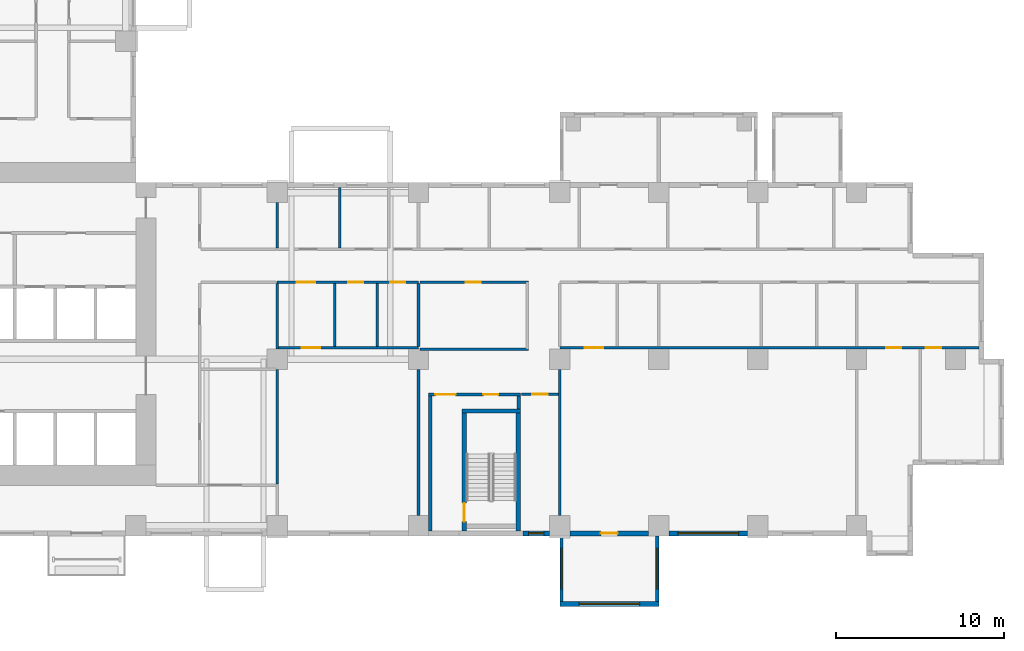
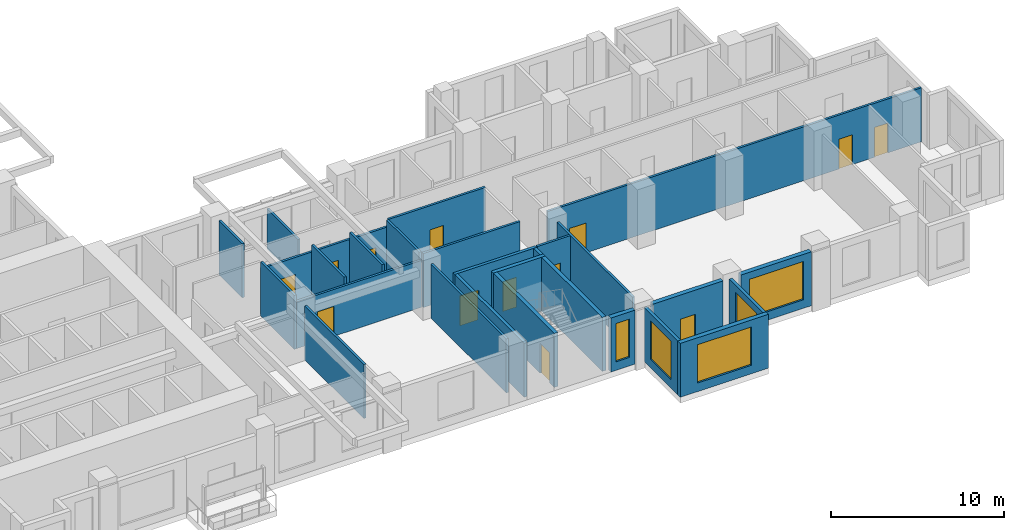
# One storey, part 4 of 15: 27 walls, 13 doors, 5 windows, 18 openings.
"""IFC4 building model written with IfcOpenShell, lengths in metres."""

from ifc_helpers import new_model, si_unit, direction, frame, frame_2d, origin, place, context, subcontext, project, spatial, rectangle, extrude, source, transform, mapped, material, layer, layer_set, type_object, element, fill, save


model = new_model("IFC4")

# Units and contexts
model_context = context("Model", 3, precision=1e-05, world=origin(), true_north=direction((0.0, 1.0)))
body_context = subcontext(model_context, "Body", "Model", "MODEL_VIEW")
ifc_project = project(units=[si_unit("LENGTHUNIT", "METRE"), si_unit("AREAUNIT", "SQUARE_METRE"), si_unit("VOLUMEUNIT", "CUBIC_METRE"), si_unit("PLANEANGLEUNIT", "RADIAN"), si_unit("MASSUNIT", "GRAM", prefix="KILO")], contexts=[model_context])

# Site, building, storey
site_placement = place(None, origin())
site = spatial("IfcSite", under=ifc_project, at=site_placement, CompositionType="ELEMENT")
building_placement = place(site_placement, origin())
building = spatial("IfcBuilding", under=site, at=building_placement, Name="Aurelian Terraces", CompositionType="ELEMENT")
storey_placement = place(building_placement, frame((0.0, 0.0, 74.1)))
storey = spatial("IfcBuildingStorey", under=building, at=storey_placement, Name="L15", CompositionType="ELEMENT", Elevation=74.1)

# Wall, opening, door
ifc_material_1 = material(Name="Terracotta rainscreen cladding", Category="masonry")
ifc_layer_1 = layer(ifc_material_1, 0.3)
ifc_layer_set_1 = layer_set([ifc_layer_1], Name="EW-300")
wall_type_1 = type_object("IfcWallType", Name="EW-300", PredefinedType="STANDARD", material=ifc_layer_set_1)
shared_shape_1 = source(origin(), body_context, "Body", "SweptSolid", [
    extrude(rectangle(XDim=4.68, YDim=0.3, at=frame_2d((2.34, 0.0))), origin(), (0.0, 0.0, 1.0), 3.8),
])
wall_1_placement = place(storey_placement, frame((46.8, 0.15, 0.0), z_axis=(0.0, 0.0, 1.0), x_axis=(1.0, 0.0, 0.0)))
wall_1 = element("IfcWall", 1, at=wall_1_placement, inside=storey, type_object=wall_type_1, Name="External wall L15 F01.8", PredefinedType="STANDARD", context=body_context, shape_type="MappedRepresentation", body=[
    mapped(shared_shape_1, transform((0.0, 0.0, 0.0), scale=1.0)),
])
shared_shape_2 = source(origin(), body_context, "Body", "SweptSolid", [
    extrude(rectangle(XDim=1.0, YDim=2.1, at=frame_2d((0.5, 1.05))), frame((0.0, 0.16, 0.0), z_axis=(0.0, -1.0, 0.0), x_axis=(1.0, 0.0, 0.0)), (0.0, 0.0, 1.0), 0.32),
])
opening_1_placement = place(wall_1_placement, frame((1.84, 0.0, 0.0)))
opening_1 = element("IfcOpeningElement", 2, at=opening_1_placement, cuts=wall_1, Name="Opening 815002", PredefinedType="OPENING", context=body_context, shape_type="MappedRepresentation", body=[
    mapped(shared_shape_2, transform((0.0, 0.0, 0.0), scale=1.0)),
])
ifc_material_2 = material(Name="Timber door leaf", Category="wood")
door_type_1 = type_object("IfcDoorType", Name="Room door 1000x2100 left", OperationType="SINGLE_SWING_LEFT", PredefinedType="DOOR", material=ifc_material_2)
shared_shape_3 = source(origin(), body_context, "Body", "SweptSolid", [
    extrude(rectangle(XDim=1.0, YDim=2.1, at=frame_2d((0.5, 1.05))), frame((0.0, 0.025, 0.0), z_axis=(0.0, -1.0, 0.0), x_axis=(1.0, 0.0, 0.0)), (0.0, 0.0, 1.0), 0.05),
])
door_1_placement = place(opening_1_placement, origin())
door_1 = element("IfcDoor", 3, at=door_1_placement, inside=storey, type_object=door_type_1, Name="Door 815002", OperationType="SINGLE_SWING_LEFT", OverallHeight=2.1, OverallWidth=1.0, PredefinedType="DOOR", context=body_context, shape_type="MappedRepresentation", body=[
    mapped(shared_shape_3, transform((0.0, 0.0, 0.0), scale=1.0)),
])
fill(opening_1, door_1)

# Wall, opening, window
wall_2_placement = place(storey_placement, frame((52.68, 0.15, 0.0), z_axis=(0.0, 0.0, 1.0), x_axis=(1.0, 0.0, 0.0)))
wall_2 = element("IfcWall", 4, at=wall_2_placement, inside=storey, type_object=wall_type_1, Name="External wall L15 F01.9", PredefinedType="STANDARD", context=body_context, shape_type="MappedRepresentation", body=[
    mapped(shared_shape_1, transform((0.0, 0.0, 0.0), scale=1.0)),
])
shared_shape_4 = source(origin(), body_context, "Body", "SweptSolid", [
    extrude(rectangle(XDim=3.6, YDim=2.7, at=frame_2d((1.8, 1.35))), frame((0.0, 0.16, 0.0), z_axis=(0.0, -1.0, 0.0), x_axis=(1.0, 0.0, 0.0)), (0.0, 0.0, 1.0), 0.32),
])
opening_2_placement = place(wall_2_placement, frame((0.54, 0.0, 0.6)))
opening_2 = element("IfcOpeningElement", 5, at=opening_2_placement, cuts=wall_2, Name="Opening W3627", PredefinedType="OPENING", context=body_context, shape_type="MappedRepresentation", body=[
    mapped(shared_shape_4, transform((0.0, 0.0, 0.0), scale=1.0)),
])
ifc_material_3 = material(Name="Clear glazing", Category="glass")
window_type_1 = type_object("IfcWindowType", Name="W-3600x2700", PartitioningType="SINGLE_PANEL", PredefinedType="WINDOW", material=ifc_material_3)
shared_shape_5 = source(origin(), body_context, "Body", "SweptSolid", [
    extrude(rectangle(XDim=3.6, YDim=2.7, at=frame_2d((1.8, 1.35))), frame((0.0, 0.03, 0.0), z_axis=(0.0, -1.0, 0.0), x_axis=(1.0, 0.0, 0.0)), (0.0, 0.0, 1.0), 0.06),
])
window_1_placement = place(opening_2_placement, origin())
window_1 = element("IfcWindow", 6, at=window_1_placement, inside=storey, type_object=window_type_1, Name="Window L15 L15-F01-09-0", OverallHeight=2.7, OverallWidth=3.6, PartitioningType="SINGLE_PANEL", PredefinedType="WINDOW", context=body_context, shape_type="MappedRepresentation", body=[
    mapped(shared_shape_5, transform((0.0, 0.0, 0.0), scale=1.0)),
])
fill(opening_2, window_1)

shared_shape_6 = source(origin(), body_context, "Body", "SweptSolid", [
    extrude(rectangle(XDim=1.6, YDim=0.3, at=frame_2d((0.8, 0.0))), origin(), (0.0, 0.0, 1.0), 3.8),
])
wall_3_placement = place(storey_placement, frame((44.0, 0.15, 0.0), z_axis=(0.0, 0.0, 1.0), x_axis=(1.0, 0.0, 0.0)))
wall_3 = element("IfcWall", 7, at=wall_3_placement, inside=storey, type_object=wall_type_1, Name="External wall L15 F01.7", PredefinedType="STANDARD", context=body_context, shape_type="MappedRepresentation", body=[
    mapped(shared_shape_6, transform((0.0, 0.0, 0.0), scale=1.0)),
])
shared_shape_7 = source(origin(), body_context, "Body", "SweptSolid", [
    extrude(rectangle(XDim=0.9, YDim=2.7, at=frame_2d((0.45, 1.35))), frame((0.0, 0.16, 0.0), z_axis=(0.0, -1.0, 0.0), x_axis=(1.0, 0.0, 0.0)), (0.0, 0.0, 1.0), 0.32),
])
opening_3_placement = place(wall_3_placement, frame((0.35, 0.0, 0.6)))
opening_3 = element("IfcOpeningElement", 8, at=opening_3_placement, cuts=wall_3, Name="Opening W0927", PredefinedType="OPENING", context=body_context, shape_type="MappedRepresentation", body=[
    mapped(shared_shape_7, transform((0.0, 0.0, 0.0), scale=1.0)),
])
window_type_2 = type_object("IfcWindowType", Name="W-900x2700", PartitioningType="SINGLE_PANEL", PredefinedType="WINDOW", material=ifc_material_3)
shared_shape_8 = source(origin(), body_context, "Body", "SweptSolid", [
    extrude(rectangle(XDim=0.9, YDim=2.7, at=frame_2d((0.45, 1.35))), frame((0.0, 0.03, 0.0), z_axis=(0.0, -1.0, 0.0), x_axis=(1.0, 0.0, 0.0)), (0.0, 0.0, 1.0), 0.06),
])
window_2_placement = place(opening_3_placement, origin())
window_2 = element("IfcWindow", 9, at=window_2_placement, inside=storey, type_object=window_type_2, Name="Window L15 L15-F01-07-P2", OverallHeight=2.7, OverallWidth=0.9, PartitioningType="SINGLE_PANEL", PredefinedType="WINDOW", context=body_context, shape_type="MappedRepresentation", body=[
    mapped(shared_shape_8, transform((0.0, 0.0, 0.0), scale=1.0)),
])
fill(opening_3, window_2)

ifc_material_4 = material(Name="Concrete fc' 40 MPa", Category="concrete")
ifc_layer_2 = layer(ifc_material_4, 0.2)
ifc_layer_set_2 = layer_set([ifc_layer_2], Name="BOX BEARING WALL 200")
wall_type_2 = type_object("IfcWallType", Name="BOX BEARING WALL 200", PredefinedType="SOLIDWALL", material=ifc_layer_set_2)
shared_shape_9 = source(origin(), body_context, "Body", "SweptSolid", [
    extrude(rectangle(XDim=3.9, YDim=0.2, at=frame_2d((1.95, 0.0))), origin(), (0.0, 0.0, 1.0), 3.79),
])
wall_4_placement = place(storey_placement, frame((46.3, 0.0, 0.0), z_axis=(0.0, 0.0, 1.0), x_axis=(0.0, -1.0, 0.0)))
wall_4 = element("IfcWall", 10, at=wall_4_placement, inside=storey, type_object=wall_type_2, Name="Box return L15 J16.1", PredefinedType="SOLIDWALL", context=body_context, shape_type="MappedRepresentation", body=[
    mapped(shared_shape_9, transform((0.0, 0.0, 0.0), scale=1.0)),
])
shared_shape_10 = source(origin(), body_context, "Body", "SweptSolid", [
    extrude(rectangle(XDim=2.4, YDim=2.7, at=frame_2d((1.2, 1.35))), frame((0.0, 0.11, 0.0), z_axis=(0.0, -1.0, 0.0), x_axis=(1.0, 0.0, 0.0)), (0.0, 0.0, 1.0), 0.22),
])
opening_4_placement = place(wall_4_placement, frame((0.75, 0.0, 0.6)))
opening_4 = element("IfcOpeningElement", 11, at=opening_4_placement, cuts=wall_4, Name="Opening W2427", PredefinedType="OPENING", context=body_context, shape_type="MappedRepresentation", body=[
    mapped(shared_shape_10, transform((0.0, 0.0, 0.0), scale=1.0)),
])
window_type_3 = type_object("IfcWindowType", Name="W-2400x2700", PartitioningType="SINGLE_PANEL", PredefinedType="WINDOW", material=ifc_material_3)
shared_shape_11 = source(origin(), body_context, "Body", "SweptSolid", [
    extrude(rectangle(XDim=2.4, YDim=2.7, at=frame_2d((1.2, 1.35))), frame((0.0, 0.03, 0.0), z_axis=(0.0, -1.0, 0.0), x_axis=(1.0, 0.0, 0.0)), (0.0, 0.0, 1.0), 0.06),
])
window_3_placement = place(opening_4_placement, origin())
window_3 = element("IfcWindow", 12, at=window_3_placement, inside=storey, type_object=window_type_3, Name="Window L15 J16-S1", OverallHeight=2.7, OverallWidth=2.4, PartitioningType="SINGLE_PANEL", PredefinedType="WINDOW", context=body_context, shape_type="MappedRepresentation", body=[
    mapped(shared_shape_11, transform((0.0, 0.0, 0.0), scale=1.0)),
])
fill(opening_4, window_3)

wall_5_placement = place(storey_placement, frame((51.98, 0.0, 0.0), z_axis=(0.0, 0.0, 1.0), x_axis=(0.0, -1.0, 0.0)))
wall_5 = element("IfcWall", 13, at=wall_5_placement, inside=storey, type_object=wall_type_2, Name="Box return L15 J16.2", PredefinedType="SOLIDWALL", context=body_context, shape_type="MappedRepresentation", body=[
    mapped(shared_shape_9, transform((0.0, 0.0, 0.0), scale=1.0)),
])
opening_5_placement = place(wall_5_placement, frame((0.75, 0.0, 0.6)))
opening_5 = element("IfcOpeningElement", 14, at=opening_5_placement, cuts=wall_5, Name="Opening W2427", PredefinedType="OPENING", context=body_context, shape_type="MappedRepresentation", body=[
    mapped(shared_shape_10, transform((0.0, 0.0, 0.0), scale=1.0)),
])
window_4_placement = place(opening_5_placement, origin())
window_4 = element("IfcWindow", 15, at=window_4_placement, inside=storey, type_object=window_type_3, Name="Window L15 J16-S2", OverallHeight=2.7, OverallWidth=2.4, PartitioningType="SINGLE_PANEL", PredefinedType="WINDOW", context=body_context, shape_type="MappedRepresentation", body=[
    mapped(shared_shape_11, transform((0.0, 0.0, 0.0), scale=1.0)),
])
fill(opening_5, window_4)

ifc_layer_3 = layer(ifc_material_4, 0.3)
ifc_layer_set_3 = layer_set([ifc_layer_3], Name="BOX BEARING WALL 300")
wall_type_3 = type_object("IfcWallType", Name="BOX BEARING WALL 300", PredefinedType="SOLIDWALL", material=ifc_layer_set_3)
shared_shape_12 = source(origin(), body_context, "Body", "SweptSolid", [
    extrude(rectangle(XDim=5.88, YDim=0.3, at=frame_2d((2.94, 0.0))), origin(), (0.0, 0.0, 1.0), 3.79),
])
wall_6_placement = place(storey_placement, frame((46.2, -4.05, 0.0), z_axis=(0.0, 0.0, 1.0), x_axis=(1.0, 0.0, 0.0)))
wall_6 = element("IfcWall", 16, at=wall_6_placement, inside=storey, type_object=wall_type_3, Name="Box wall L15 J16", PredefinedType="SOLIDWALL", context=body_context, shape_type="MappedRepresentation", body=[
    mapped(shared_shape_12, transform((0.0, 0.0, 0.0), scale=1.0)),
])
opening_6_placement = place(wall_6_placement, frame((1.14, 0.0, 0.6)))
opening_6 = element("IfcOpeningElement", 17, at=opening_6_placement, cuts=wall_6, Name="Opening W3627", PredefinedType="OPENING", context=body_context, shape_type="MappedRepresentation", body=[
    mapped(shared_shape_4, transform((0.0, 0.0, 0.0), scale=1.0)),
])
window_5_placement = place(opening_6_placement, origin())
window_5 = element("IfcWindow", 18, at=window_5_placement, inside=storey, type_object=window_type_1, Name="Window L15 J16-F1", OverallHeight=2.7, OverallWidth=3.6, PartitioningType="SINGLE_PANEL", PredefinedType="WINDOW", context=body_context, shape_type="MappedRepresentation", body=[
    mapped(shared_shape_5, transform((0.0, 0.0, 0.0), scale=1.0)),
])
fill(opening_6, window_5)

# Wall, opening, door
ifc_layer_4 = layer(ifc_material_4, 0.25)
ifc_layer_set_4 = layer_set([ifc_layer_4], Name="Stair enclosure wall 250")
wall_type_4 = type_object("IfcWallType", Name="Stair enclosure wall 250", PredefinedType="SOLIDWALL", material=ifc_layer_set_4)
shared_shape_13 = source(origin(), body_context, "Body", "SweptSolid", [
    extrude(rectangle(XDim=7.0, YDim=0.25, at=frame_2d((3.5, 0.0))), origin(), (0.0, 0.0, 1.0), 3.8),
])
wall_7_placement = place(storey_placement, frame((40.525, 0.3, 0.0), z_axis=(0.0, 0.0, 1.0), x_axis=(0.0, 1.0, 0.0)))
wall_7 = element("IfcWall", 19, at=wall_7_placement, inside=storey, type_object=wall_type_4, Name="L15 core wall ST-S2-W", PredefinedType="SOLIDWALL", context=body_context, shape_type="MappedRepresentation", body=[
    mapped(shared_shape_13, transform((0.0, 0.0, 0.0), scale=1.0)),
])
shared_shape_14 = source(origin(), body_context, "Body", "SweptSolid", [
    extrude(rectangle(XDim=1.1, YDim=2.1, at=frame_2d((0.55, 1.05))), frame((0.0, 0.135, 0.0), z_axis=(0.0, -1.0, 0.0), x_axis=(1.0, 0.0, 0.0)), (0.0, 0.0, 1.0), 0.27),
])
opening_7_placement = place(wall_7_placement, frame((0.55, 0.0, 0.0)))
opening_7 = element("IfcOpeningElement", 20, at=opening_7_placement, cuts=wall_7, Name="Opening 61814", PredefinedType="OPENING", context=body_context, shape_type="MappedRepresentation", body=[
    mapped(shared_shape_14, transform((0.0, 0.0, 0.0), scale=1.0)),
])
ifc_material_5 = material(Name="Steel door leaf", Category="steel")
door_type_2 = type_object("IfcDoorType", Name="Core fire door 1100x2100", OperationType="SINGLE_SWING_LEFT", PredefinedType="DOOR", material=ifc_material_5)
shared_shape_15 = source(origin(), body_context, "Body", "SweptSolid", [
    extrude(rectangle(XDim=1.1, YDim=2.1, at=frame_2d((0.55, 1.05))), frame((0.0, 0.025, 0.0), z_axis=(0.0, -1.0, 0.0), x_axis=(1.0, 0.0, 0.0)), (0.0, 0.0, 1.0), 0.05),
])
door_2_placement = place(opening_7_placement, origin())
door_2 = element("IfcDoor", 21, at=door_2_placement, inside=storey, type_object=door_type_2, Name="Stair door 61814", OperationType="SINGLE_SWING_LEFT", OverallHeight=2.1, OverallWidth=1.1, PredefinedType="DOOR", context=body_context, shape_type="MappedRepresentation", body=[
    mapped(shared_shape_15, transform((0.0, 0.0, 0.0), scale=1.0)),
])
fill(opening_7, door_2)

# Walls
wall_8_placement = place(storey_placement, frame((43.725, 0.3, 0.0), z_axis=(0.0, 0.0, 1.0), x_axis=(0.0, 1.0, 0.0)))
element("IfcWall", 22, at=wall_8_placement, inside=storey, type_object=wall_type_4, Name="L15 core wall ST-S2-E", PredefinedType="SOLIDWALL", context=body_context, shape_type="MappedRepresentation", body=[
    mapped(shared_shape_13, transform((0.0, 0.0, 0.0), scale=1.0)),
])
shared_shape_16 = source(origin(), body_context, "Body", "SweptSolid", [
    extrude(rectangle(XDim=3.45, YDim=0.25, at=frame_2d((1.725, 0.0))), origin(), (0.0, 0.0, 1.0), 3.8),
])
wall_9_placement = place(storey_placement, frame((40.4, 7.425, 0.0), z_axis=(0.0, 0.0, 1.0), x_axis=(1.0, 0.0, 0.0)))
element("IfcWall", 23, at=wall_9_placement, inside=storey, type_object=wall_type_4, Name="L15 core wall ST-S2-N", PredefinedType="SOLIDWALL", context=body_context, shape_type="MappedRepresentation", body=[
    mapped(shared_shape_16, transform((0.0, 0.0, 0.0), scale=1.0)),
])
ifc_material_6 = material(Name="Gypsum board on steel studs", Category="steel")
ifc_layer_5 = layer(ifc_material_6, 0.2)
ifc_layer_set_5 = layer_set([ifc_layer_5], Name="Core partition 200")
wall_type_5 = type_object("IfcWallType", Name="Core partition 200", PredefinedType="PARTITIONING", material=ifc_layer_set_5)
shared_shape_17 = source(origin(), body_context, "Body", "SweptSolid", [
    extrude(rectangle(XDim=8.0, YDim=0.2, at=frame_2d((4.0, 0.0))), origin(), (0.0, 0.0, 1.0), 3.8),
])
wall_10_placement = place(storey_placement, frame((38.5, 0.3, 0.0), z_axis=(0.0, 0.0, 1.0), x_axis=(0.0, 1.0, 0.0)))
element("IfcWall", 24, at=wall_10_placement, inside=storey, type_object=wall_type_5, Name="L15 core wall ST-S2-VW", PredefinedType="PARTITIONING", context=body_context, shape_type="MappedRepresentation", body=[
    mapped(shared_shape_17, transform((0.0, 0.0, 0.0), scale=1.0)),
])

# Wall, openings, doors
shared_shape_18 = source(origin(), body_context, "Body", "SweptSolid", [
    extrude(rectangle(XDim=5.45, YDim=0.2, at=frame_2d((2.725, 0.0))), origin(), (0.0, 0.0, 1.0), 3.8),
])
wall_11_placement = place(storey_placement, frame((38.4, 8.4, 0.0), z_axis=(0.0, 0.0, 1.0), x_axis=(1.0, 0.0, 0.0)))
wall_11 = element("IfcWall", 25, at=wall_11_placement, inside=storey, type_object=wall_type_5, Name="L15 core wall ST-S2-BN", PredefinedType="PARTITIONING", context=body_context, shape_type="MappedRepresentation", body=[
    mapped(shared_shape_18, transform((0.0, 0.0, 0.0), scale=1.0)),
])
shared_shape_19 = source(origin(), body_context, "Body", "SweptSolid", [
    extrude(rectangle(XDim=1.2, YDim=2.1, at=frame_2d((0.6, 1.05))), frame((0.0, 0.11, 0.0), z_axis=(0.0, -1.0, 0.0), x_axis=(1.0, 0.0, 0.0)), (0.0, 0.0, 1.0), 0.22),
])
opening_8_placement = place(wall_11_placement, frame((0.4, 0.0, 0.0)))
opening_8 = element("IfcOpeningElement", 26, at=opening_8_placement, cuts=wall_11, Name="Opening 61815", PredefinedType="OPENING", context=body_context, shape_type="MappedRepresentation", body=[
    mapped(shared_shape_19, transform((0.0, 0.0, 0.0), scale=1.0)),
])
shared_shape_20 = source(origin(), body_context, "Body", "SweptSolid", [
    extrude(rectangle(XDim=0.9, YDim=2.1, at=frame_2d((0.45, 1.05))), frame((0.0, 0.11, 0.0), z_axis=(0.0, -1.0, 0.0), x_axis=(1.0, 0.0, 0.0)), (0.0, 0.0, 1.0), 0.22),
])
opening_9_placement = place(wall_11_placement, frame((3.25, 0.0, 0.0)))
opening_9 = element("IfcOpeningElement", 27, at=opening_9_placement, cuts=wall_11, Name="Opening 61816", PredefinedType="OPENING", context=body_context, shape_type="MappedRepresentation", body=[
    mapped(shared_shape_20, transform((0.0, 0.0, 0.0), scale=1.0)),
])
door_type_3 = type_object("IfcDoorType", Name="Core riser door 900x2100", OperationType="SINGLE_SWING_LEFT", PredefinedType="DOOR", material=ifc_material_5)
shared_shape_21 = source(origin(), body_context, "Body", "SweptSolid", [
    extrude(rectangle(XDim=0.9, YDim=2.1, at=frame_2d((0.45, 1.05))), frame((0.0, 0.025, 0.0), z_axis=(0.0, -1.0, 0.0), x_axis=(1.0, 0.0, 0.0)), (0.0, 0.0, 1.0), 0.05),
])
door_3_placement = place(opening_9_placement, origin())
door_3 = element("IfcDoor", 28, at=door_3_placement, inside=storey, type_object=door_type_3, Name="Riser door 61816", OperationType="SINGLE_SWING_LEFT", OverallHeight=2.1, OverallWidth=0.9, PredefinedType="DOOR", context=body_context, shape_type="MappedRepresentation", body=[
    mapped(shared_shape_21, transform((0.0, 0.0, 0.0), scale=1.0)),
])
fill(opening_9, door_3)
door_type_4 = type_object("IfcDoorType", Name="Core fire door 1200x2100 right", OperationType="SINGLE_SWING_RIGHT", PredefinedType="DOOR", material=ifc_material_5)
shared_shape_22 = source(origin(), body_context, "Body", "SweptSolid", [
    extrude(rectangle(XDim=1.2, YDim=2.1, at=frame_2d((0.6, 1.05))), frame((0.0, 0.025, 0.0), z_axis=(0.0, -1.0, 0.0), x_axis=(1.0, 0.0, 0.0)), (0.0, 0.0, 1.0), 0.05),
])
door_4_placement = place(opening_8_placement, origin())
door_4 = element("IfcDoor", 29, at=door_4_placement, inside=storey, type_object=door_type_4, Name="Vestibule door 61815", OperationType="SINGLE_SWING_RIGHT", OverallHeight=2.1, OverallWidth=1.2, PredefinedType="DOOR", context=body_context, shape_type="MappedRepresentation", body=[
    mapped(shared_shape_22, transform((0.0, 0.0, 0.0), scale=1.0)),
])
fill(opening_8, door_4)

# Walls
shared_shape_23 = source(origin(), body_context, "Body", "SweptSolid", [
    extrude(rectangle(XDim=0.75, YDim=0.2, at=frame_2d((0.375, 0.0))), origin(), (0.0, 0.0, 1.0), 3.8),
])
wall_12_placement = place(storey_placement, frame((43.75, 7.55, 0.0), z_axis=(0.0, 0.0, 1.0), x_axis=(0.0, 1.0, 0.0)))
element("IfcWall", 30, at=wall_12_placement, inside=storey, type_object=wall_type_5, Name="L15 core wall ST-S2-RE", PredefinedType="PARTITIONING", context=body_context, shape_type="MappedRepresentation", body=[
    mapped(shared_shape_23, transform((0.0, 0.0, 0.0), scale=1.0)),
])
ifc_layer_6 = layer(ifc_material_6, 0.15)
ifc_layer_set_6 = layer_set([ifc_layer_6], Name="Partition 150")
wall_type_6 = type_object("IfcWallType", Name="Partition 150", PredefinedType="PARTITIONING", material=ifc_layer_set_6)
shared_shape_24 = source(origin(), body_context, "Body", "SweptSolid", [
    extrude(rectangle(XDim=6.45, YDim=0.15, at=frame_2d((3.225, 0.0))), origin(), (0.0, 0.0, 1.0), 3.8),
])
wall_13_placement = place(storey_placement, frame((37.875, 11.1, 0.0), z_axis=(0.0, 0.0, 1.0), x_axis=(1.0, 0.0, 0.0)))
element("IfcWall", 31, at=wall_13_placement, inside=storey, type_object=wall_type_6, Name="Partition", PredefinedType="PARTITIONING", context=body_context, shape_type="MappedRepresentation", body=[
    mapped(shared_shape_24, transform((0.0, 0.0, 0.0), scale=1.0)),
])

# Wall, opening, door
ifc_layer_7 = layer(ifc_material_6, 0.15)
ifc_layer_set_7 = layer_set([ifc_layer_7], Name="Fire partition 150")
wall_type_7 = type_object("IfcWallType", Name="Fire partition 150", PredefinedType="PARTITIONING", material=ifc_layer_set_7)
wall_14_placement = place(storey_placement, frame((44.325, 15.075, 0.0), z_axis=(0.0, 0.0, 1.0), x_axis=(-1.0, 0.0, 0.0)))
wall_14 = element("IfcWall", 32, at=wall_14_placement, inside=storey, type_object=wall_type_7, Name="Corridor wall", PredefinedType="PARTITIONING", context=body_context, shape_type="MappedRepresentation", body=[
    mapped(shared_shape_24, transform((0.0, 0.0, 0.0), scale=1.0)),
])
shared_shape_25 = source(origin(), body_context, "Body", "SweptSolid", [
    extrude(rectangle(XDim=0.9, YDim=2.1, at=frame_2d((0.45, 1.05))), frame((0.0, 0.085, 0.0), z_axis=(0.0, -1.0, 0.0), x_axis=(1.0, 0.0, 0.0)), (0.0, 0.0, 1.0), 0.17),
])
opening_10_placement = place(wall_14_placement, frame((2.8125, 0.0, 0.0)))
opening_10 = element("IfcOpeningElement", 33, at=opening_10_placement, cuts=wall_14, Name="Opening 715005", PredefinedType="OPENING", context=body_context, shape_type="MappedRepresentation", body=[
    mapped(shared_shape_25, transform((0.0, 0.0, 0.0), scale=1.0)),
])
door_type_5 = type_object("IfcDoorType", Name="Room door 900x2100 right", OperationType="SINGLE_SWING_RIGHT", PredefinedType="DOOR", material=ifc_material_2)
door_5_placement = place(opening_10_placement, origin())
door_5 = element("IfcDoor", 34, at=door_5_placement, inside=storey, type_object=door_type_5, Name="Door 715005", OperationType="SINGLE_SWING_RIGHT", OverallHeight=2.1, OverallWidth=0.9, PredefinedType="DOOR", context=body_context, shape_type="MappedRepresentation", body=[
    mapped(shared_shape_21, transform((0.0, 0.0, 0.0), scale=1.0)),
])
fill(opening_10, door_5)

# Walls
shared_shape_26 = source(origin(), body_context, "Body", "SweptSolid", [
    extrude(rectangle(XDim=3.75, YDim=0.15, at=frame_2d((1.875, 0.0))), origin(), (0.0, 0.0, 1.0), 3.8),
])
for number, where, z_axis, x_axis, name in (
    (35, (32.8088, 11.25, 0.0), (0.0, 0.0, 1.0), (0.0, 1.0, 0.0), "Partition"),
    (36, (35.3388, 11.25, 0.0), (0.0, 0.0, 1.0), (0.0, 1.0, 0.0), "Partition"),
    (37, (37.8, 11.25, 0.0), (0.0, 0.0, 1.0), (0.0, 1.0, 0.0), "Partition"),
):
    element("IfcWall", number, at=place(storey_placement, frame(where, z_axis=z_axis, x_axis=x_axis)), inside=storey, type_object=wall_type_6, Name=name, PredefinedType="PARTITIONING", context=body_context, shape_type="MappedRepresentation", body=[
        mapped(shared_shape_26, transform((0.0, 0.0, 0.0), scale=1.0)),
    ])
shared_shape_27 = source(origin(), body_context, "Body", "SweptSolid", [
    extrude(rectangle(XDim=8.702, YDim=0.15, at=frame_2d((4.351, 0.0))), origin(), (0.0, 0.0, 1.0), 3.8),
])
for number, where, z_axis, x_axis, name in (
    (38, (37.8, 1.199, 0.0), (0.0, 0.0, 1.0), (0.0, 1.0, 0.0), "Partition"),
    (39, (46.2, 1.199, 0.0), (0.0, 0.0, 1.0), (0.0, 1.0, 0.0), "Partition"),
):
    element("IfcWall", number, at=place(storey_placement, frame(where, z_axis=z_axis, x_axis=x_axis)), inside=storey, type_object=wall_type_6, Name=name, PredefinedType="PARTITIONING", context=body_context, shape_type="MappedRepresentation", body=[
        mapped(shared_shape_27, transform((0.0, 0.0, 0.0), scale=1.0)),
    ])
shared_shape_28 = source(origin(), body_context, "Body", "SweptSolid", [
    extrude(rectangle(XDim=2.701, YDim=0.15, at=frame_2d((1.3505, 0.0))), origin(), (0.0, 0.0, 1.0), 3.8),
])
wall_15_placement = place(storey_placement, frame((29.4, 17.1, 0.0), z_axis=(0.0, 0.0, 1.0), x_axis=(0.0, 1.0, 0.0)))
element("IfcWall", 40, at=wall_15_placement, inside=storey, type_object=wall_type_6, Name="Partition", PredefinedType="PARTITIONING", context=body_context, shape_type="MappedRepresentation", body=[
    mapped(shared_shape_28, transform((0.0, 0.0, 0.0), scale=1.0)),
])

# Wall, openings, doors
shared_shape_29 = source(origin(), body_context, "Body", "SweptSolid", [
    extrude(rectangle(XDim=24.9, YDim=0.15, at=frame_2d((12.45, 0.0))), origin(), (0.0, 0.0, 1.0), 3.8),
])
wall_16_placement = place(storey_placement, frame((71.1, 11.175, 0.0), z_axis=(0.0, 0.0, 1.0), x_axis=(-1.0, 0.0, 0.0)))
wall_16 = element("IfcWall", 41, at=wall_16_placement, inside=storey, type_object=wall_type_6, Name="Partition", PredefinedType="PARTITIONING", context=body_context, shape_type="MappedRepresentation", body=[
    mapped(shared_shape_29, transform((0.0, 0.0, 0.0), scale=1.0)),
])
shared_shape_30 = source(origin(), body_context, "Body", "SweptSolid", [
    extrude(rectangle(XDim=1.1, YDim=2.1, at=frame_2d((0.55, 1.05))), frame((0.0, 0.085, 0.0), z_axis=(0.0, -1.0, 0.0), x_axis=(1.0, 0.0, 0.0)), (0.0, 0.0, 1.0), 0.17),
])
opening_11_placement = place(wall_16_placement, frame((22.3317, 0.0, 0.0)))
opening_11 = element("IfcOpeningElement", 42, at=opening_11_placement, cuts=wall_16, Name="Opening 715012", PredefinedType="OPENING", context=body_context, shape_type="MappedRepresentation", body=[
    mapped(shared_shape_30, transform((0.0, 0.0, 0.0), scale=1.0)),
])
opening_12_placement = place(wall_16_placement, frame((4.6075, 0.0, 0.0)))
opening_12 = element("IfcOpeningElement", 43, at=opening_12_placement, cuts=wall_16, Name="Opening 715018", PredefinedType="OPENING", context=body_context, shape_type="MappedRepresentation", body=[
    mapped(shared_shape_25, transform((0.0, 0.0, 0.0), scale=1.0)),
])
opening_13_placement = place(wall_16_placement, frame((2.2425, 0.0, 0.0)))
opening_13 = element("IfcOpeningElement", 44, at=opening_13_placement, cuts=wall_16, Name="Opening 715019", PredefinedType="OPENING", context=body_context, shape_type="MappedRepresentation", body=[
    mapped(shared_shape_25, transform((0.0, 0.0, 0.0), scale=1.0)),
])
door_6_placement = place(opening_12_placement, origin())
door_6 = element("IfcDoor", 45, at=door_6_placement, inside=storey, type_object=door_type_5, Name="Door 715018", OperationType="SINGLE_SWING_RIGHT", OverallHeight=2.1, OverallWidth=0.9, PredefinedType="DOOR", context=body_context, shape_type="MappedRepresentation", body=[
    mapped(shared_shape_21, transform((0.0, 0.0, 0.0), scale=1.0)),
])
fill(opening_12, door_6)
door_type_6 = type_object("IfcDoorType", Name="Room door 900x2100 left", OperationType="SINGLE_SWING_LEFT", PredefinedType="DOOR", material=ifc_material_2)
door_7_placement = place(opening_13_placement, origin())
door_7 = element("IfcDoor", 46, at=door_7_placement, inside=storey, type_object=door_type_6, Name="Door 715019", OperationType="SINGLE_SWING_LEFT", OverallHeight=2.1, OverallWidth=0.9, PredefinedType="DOOR", context=body_context, shape_type="MappedRepresentation", body=[
    mapped(shared_shape_21, transform((0.0, 0.0, 0.0), scale=1.0)),
])
fill(opening_13, door_7)
door_type_7 = type_object("IfcDoorType", Name="Room door 1100x2100 right", OperationType="SINGLE_SWING_RIGHT", PredefinedType="DOOR", material=ifc_material_2)
door_8_placement = place(opening_11_placement, origin())
door_8 = element("IfcDoor", 47, at=door_8_placement, inside=storey, type_object=door_type_7, Name="Door 715012", OperationType="SINGLE_SWING_RIGHT", OverallHeight=2.1, OverallWidth=1.1, PredefinedType="DOOR", context=body_context, shape_type="MappedRepresentation", body=[
    mapped(shared_shape_15, transform((0.0, 0.0, 0.0), scale=1.0)),
])
fill(opening_11, door_8)

# Walls
shared_shape_31 = source(origin(), body_context, "Body", "SweptSolid", [
    extrude(rectangle(XDim=6.826, YDim=0.15, at=frame_2d((3.413, 0.0))), origin(), (0.0, 0.0, 1.0), 3.8),
])
wall_17_placement = place(storey_placement, frame((29.4, 3.075, 0.0), z_axis=(0.0, 0.0, 1.0), x_axis=(0.0, 1.0, 0.0)))
element("IfcWall", 48, at=wall_17_placement, inside=storey, type_object=wall_type_6, Name="Partition", PredefinedType="PARTITIONING", context=body_context, shape_type="MappedRepresentation", body=[
    mapped(shared_shape_31, transform((0.0, 0.0, 0.0), scale=1.0)),
])
shared_shape_32 = source(origin(), body_context, "Body", "SweptSolid", [
    extrude(rectangle(XDim=3.901, YDim=0.15, at=frame_2d((1.9505, 0.0))), origin(), (0.0, 0.0, 1.0), 3.8),
])
wall_18_placement = place(storey_placement, frame((29.4, 11.099, 0.0), z_axis=(0.0, 0.0, 1.0), x_axis=(0.0, 1.0, 0.0)))
element("IfcWall", 49, at=wall_18_placement, inside=storey, type_object=wall_type_6, Name="Partition", PredefinedType="PARTITIONING", context=body_context, shape_type="MappedRepresentation", body=[
    mapped(shared_shape_32, transform((0.0, 0.0, 0.0), scale=1.0)),
])

# Wall, opening, door
shared_shape_33 = source(origin(), body_context, "Body", "SweptSolid", [
    extrude(rectangle(XDim=2.2, YDim=0.15, at=frame_2d((1.1, 0.0))), origin(), (0.0, 0.0, 1.0), 3.8),
])
wall_19_placement = place(storey_placement, frame((46.125, 8.425, 0.0), z_axis=(0.0, 0.0, 1.0), x_axis=(-1.0, 0.0, 0.0)))
wall_19 = element("IfcWall", 50, at=wall_19_placement, inside=storey, type_object=wall_type_6, Name="Partition", PredefinedType="PARTITIONING", context=body_context, shape_type="MappedRepresentation", body=[
    mapped(shared_shape_33, transform((0.0, 0.0, 0.0), scale=1.0)),
])
opening_14_placement = place(wall_19_placement, frame((0.65, 0.0, 0.0)))
opening_14 = element("IfcOpeningElement", 51, at=opening_14_placement, cuts=wall_19, Name="Opening 715006", PredefinedType="OPENING", context=body_context, shape_type="MappedRepresentation", body=[
    mapped(shared_shape_25, transform((0.0, 0.0, 0.0), scale=1.0)),
])
door_9_placement = place(opening_14_placement, origin())
door_9 = element("IfcDoor", 52, at=door_9_placement, inside=storey, type_object=door_type_5, Name="Door 715006", OperationType="SINGLE_SWING_RIGHT", OverallHeight=2.1, OverallWidth=0.9, PredefinedType="DOOR", context=body_context, shape_type="MappedRepresentation", body=[
    mapped(shared_shape_21, transform((0.0, 0.0, 0.0), scale=1.0)),
])
fill(opening_14, door_9)

# Wall
shared_shape_34 = source(origin(), body_context, "Body", "SweptSolid", [
    extrude(rectangle(XDim=3.6, YDim=0.15, at=frame_2d((1.8, 0.0))), origin(), (0.0, 0.0, 1.0), 2.8),
])
wall_20_placement = place(storey_placement, frame((33.1133, 20.7, 0.0), z_axis=(0.0, 0.0, 1.0), x_axis=(0.0, -1.0, 0.0)))
element("IfcWall", 53, at=wall_20_placement, inside=storey, type_object=wall_type_6, Name="Partition", PredefinedType="PARTITIONING", context=body_context, shape_type="MappedRepresentation", body=[
    mapped(shared_shape_34, transform((0.0, 0.0, 0.0), scale=1.0)),
])

# Wall, opening, door
shared_shape_35 = source(origin(), body_context, "Body", "SweptSolid", [
    extrude(rectangle(XDim=8.4, YDim=0.15, at=frame_2d((4.2, 0.0))), origin(), (0.0, 0.0, 1.0), 3.3),
])
wall_21_placement = place(storey_placement, frame((37.8, 11.175, 0.0), z_axis=(0.0, 0.0, 1.0), x_axis=(-1.0, 0.0, 0.0)))
wall_21 = element("IfcWall", 54, at=wall_21_placement, inside=storey, type_object=wall_type_6, Name="Partition", PredefinedType="PARTITIONING", context=body_context, shape_type="MappedRepresentation", body=[
    mapped(shared_shape_35, transform((0.0, 0.0, 0.0), scale=1.0)),
])
opening_15_placement = place(wall_21_placement, frame((5.8331, 0.0, 0.0)))
opening_15 = element("IfcOpeningElement", 55, at=opening_15_placement, cuts=wall_21, Name="Opening 715008", PredefinedType="OPENING", context=body_context, shape_type="MappedRepresentation", body=[
    mapped(shared_shape_30, transform((0.0, 0.0, 0.0), scale=1.0)),
])
door_10_placement = place(opening_15_placement, origin())
door_10 = element("IfcDoor", 56, at=door_10_placement, inside=storey, type_object=door_type_7, Name="Door 715008", OperationType="SINGLE_SWING_RIGHT", OverallHeight=2.1, OverallWidth=1.1, PredefinedType="DOOR", context=body_context, shape_type="MappedRepresentation", body=[
    mapped(shared_shape_15, transform((0.0, 0.0, 0.0), scale=1.0)),
])
fill(opening_15, door_10)

# Wall, openings, doors
wall_22_placement = place(storey_placement, frame((37.8, 15.075, 0.0), z_axis=(0.0, 0.0, 1.0), x_axis=(-1.0, 0.0, 0.0)))
wall_22 = element("IfcWall", 57, at=wall_22_placement, inside=storey, type_object=wall_type_7, Name="Corridor wall", PredefinedType="PARTITIONING", context=body_context, shape_type="MappedRepresentation", body=[
    mapped(shared_shape_35, transform((0.0, 0.0, 0.0), scale=1.0)),
])
opening_16_placement = place(wall_22_placement, frame((6.1456, 0.0, 0.0)))
opening_16 = element("IfcOpeningElement", 58, at=opening_16_placement, cuts=wall_22, Name="Opening 715007", PredefinedType="OPENING", context=body_context, shape_type="MappedRepresentation", body=[
    mapped(shared_shape_30, transform((0.0, 0.0, 0.0), scale=1.0)),
])
opening_17_placement = place(wall_22_placement, frame((3.2762, 0.0, 0.0)))
opening_17 = element("IfcOpeningElement", 59, at=opening_17_placement, cuts=wall_22, Name="Opening 715009", PredefinedType="OPENING", context=body_context, shape_type="MappedRepresentation", body=[
    mapped(shared_shape_25, transform((0.0, 0.0, 0.0), scale=1.0)),
])
opening_18_placement = place(wall_22_placement, frame((0.7806, 0.0, 0.0)))
opening_18 = element("IfcOpeningElement", 60, at=opening_18_placement, cuts=wall_22, Name="Opening 715010", PredefinedType="OPENING", context=body_context, shape_type="MappedRepresentation", body=[
    mapped(shared_shape_25, transform((0.0, 0.0, 0.0), scale=1.0)),
])
door_11_placement = place(opening_17_placement, origin())
door_11 = element("IfcDoor", 61, at=door_11_placement, inside=storey, type_object=door_type_6, Name="Door 715009", OperationType="SINGLE_SWING_LEFT", OverallHeight=2.1, OverallWidth=0.9, PredefinedType="DOOR", context=body_context, shape_type="MappedRepresentation", body=[
    mapped(shared_shape_21, transform((0.0, 0.0, 0.0), scale=1.0)),
])
fill(opening_17, door_11)
door_12_placement = place(opening_18_placement, origin())
door_12 = element("IfcDoor", 62, at=door_12_placement, inside=storey, type_object=door_type_5, Name="Door 715010", OperationType="SINGLE_SWING_RIGHT", OverallHeight=2.1, OverallWidth=0.9, PredefinedType="DOOR", context=body_context, shape_type="MappedRepresentation", body=[
    mapped(shared_shape_21, transform((0.0, 0.0, 0.0), scale=1.0)),
])
fill(opening_18, door_12)
door_type_8 = type_object("IfcDoorType", Name="Room door 1100x2100 left", OperationType="SINGLE_SWING_LEFT", PredefinedType="DOOR", material=ifc_material_2)
door_13_placement = place(opening_16_placement, origin())
door_13 = element("IfcDoor", 63, at=door_13_placement, inside=storey, type_object=door_type_8, Name="Door 715007", OperationType="SINGLE_SWING_LEFT", OverallHeight=2.1, OverallWidth=1.1, PredefinedType="DOOR", context=body_context, shape_type="MappedRepresentation", body=[
    mapped(shared_shape_15, transform((0.0, 0.0, 0.0), scale=1.0)),
])
fill(opening_16, door_13)

save(model, "model.ifc")
